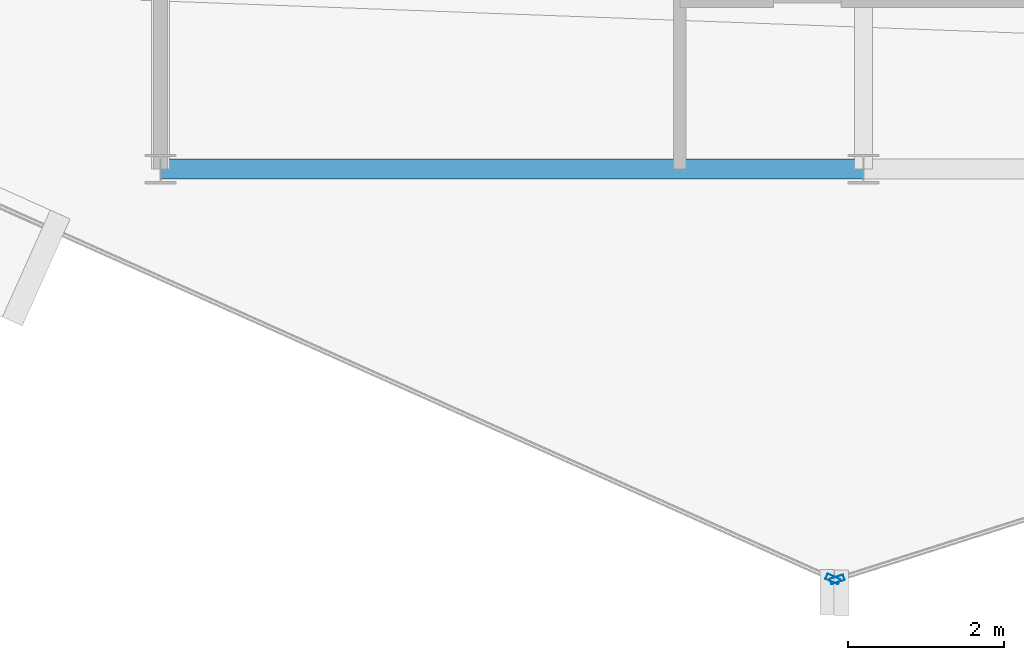
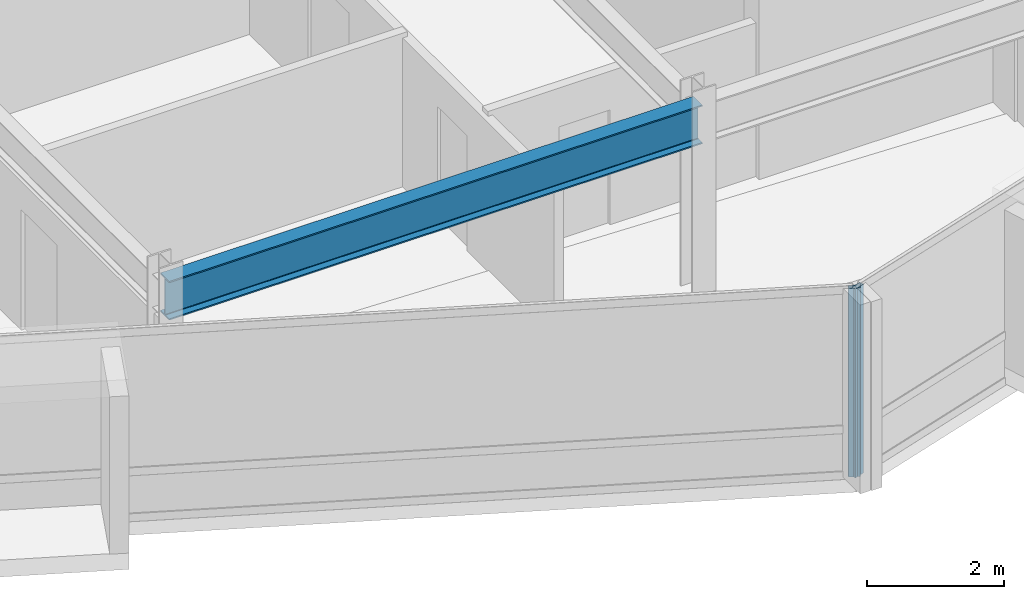
# One storey, part 4 of 19: 2 members, 1 beam, 2 elements without a shape of their own.
"""IFC4 building model written with IfcOpenShell, lengths in metres."""

from ifc_helpers import new_model, si_unit, direction, frame, origin, origin_2d, place, context, subcontext, project, spatial, hollow_rectangle, i_section, extrude, material, layer, layer_set, material_profile, profile_set, type_object, element, aggregate, save


model = new_model("IFC4")

# Units and contexts
model_context = context("Model", 3, precision=1e-05, world=origin(), true_north=direction((0.0, 1.0)))
body_context = subcontext(model_context, "Body", "Model", "MODEL_VIEW")
ifc_project = project(units=[si_unit("LENGTHUNIT", "METRE"), si_unit("AREAUNIT", "SQUARE_METRE"), si_unit("VOLUMEUNIT", "CUBIC_METRE"), si_unit("PLANEANGLEUNIT", "RADIAN"), si_unit("MASSUNIT", "GRAM", prefix="KILO")], contexts=[model_context])

# Site, building, storey
site_placement = place(None, origin())
site = spatial("IfcSite", under=ifc_project, at=site_placement, CompositionType="ELEMENT")
building_placement = place(site_placement, origin())
building = spatial("IfcBuilding", under=site, at=building_placement, Name="Solvaryn Broadcast Tower", CompositionType="ELEMENT")
storey_placement = place(building_placement, frame((0.0, 0.0, 281.5)))
storey = spatial("IfcBuildingStorey", under=building, at=storey_placement, Name="L71", CompositionType="ELEMENT", Elevation=281.5)

# Beam
ifc_material_1 = material(Name="Steel ASTM A992 Grade 50", Category="steel")
ifc_material_profile_1 = material_profile(ifc_material_1, i_section(OverallWidth=0.256103515625, OverallDepth=0.693115234375, WebThickness=0.014404296875, FlangeThickness=0.023681640625, FilletRadius=0.01611328125, at=origin_2d()))
ifc_profile_set_1 = profile_set([ifc_material_profile_1], Name="Steel ASTM A992 Grade 50")
beam_type = type_object("IfcBeamType", Name="BM-SP3-W27X114", PredefinedType="USERDEFINED", material=ifc_profile_set_1)
beam_placement = place(storey_placement, frame((18.0, 9.0, 3.0234375), z_axis=(1.0, 0.0, 0.0), x_axis=(0.0, 1.0, 0.0)))
element("IfcBeam", 1, at=beam_placement, inside=storey, type_object=beam_type, Name="L71 Spandrel Beam X (18-27 @ Y=9)", ObjectType="SPANDREL", PredefinedType="USERDEFINED", context=body_context, shape_type="SweptSolid", body=[
    extrude(i_section(OverallWidth=0.256103515625, OverallDepth=0.693115234375, WebThickness=0.014404296875, FlangeThickness=0.023681640625, FilletRadius=0.01611328125, at=origin_2d()), origin(), (0.0, 0.0, 1.0), 9.0),
])

# Curtain wall, member
ifc_material_2 = material(Name="Aluminium and Terracotta Unitised Curtain Wall", Category="masonry")
ifc_layer = layer(ifc_material_2, 0.199951171875)
ifc_layer_set = layer_set([ifc_layer], Name="CW-SYS2-LOWMID")
curtain_wall_type = type_object("IfcCurtainWallType", Name="CW-SYS2-LOWMID", PredefinedType="NOTDEFINED", material=ifc_layer_set)
curtain_wall_1_placement = place(storey_placement, origin())
curtain_wall_1 = element("IfcCurtainWall", 2, at=curtain_wall_1_placement, inside=storey, type_object=curtain_wall_type, Name="L71 Curtain Wall DR3", PredefinedType="NOTDEFINED")
ifc_material_3 = material(Name="Anodised Aluminium 6063-T6", Category="aluminium")
ifc_material_profile_2 = material_profile(ifc_material_3, hollow_rectangle(XDim=0.074951171875, YDim=0.179931640625, WallThickness=0.00390625, InnerFilletRadius=0.00390625, OuterFilletRadius=0.008056640625, at=origin_2d()))
ifc_profile_set_2 = profile_set([ifc_material_profile_2], Name="Anodised Aluminium 6063-T6")
member_type = type_object("IfcMemberType", Name="CW-MUL-180", PredefinedType="MULLION", material=ifc_profile_set_2)
member_1_placement = place(storey_placement, frame((26.608642578125, 3.750244140625, 0.0), z_axis=(0.0, 0.0, 1.0), x_axis=(0.408466010682, 0.912773530574, 0.0)))
member_1 = element("IfcMember", 3, at=member_1_placement, type_object=member_type, Name="CWS2 mullion 2", PredefinedType="MULLION", context=body_context, shape_type="SweptSolid", body=[
    extrude(hollow_rectangle(XDim=0.074951171875, YDim=0.179931640625, WallThickness=0.00390625, InnerFilletRadius=0.00390625, OuterFilletRadius=0.008056640625, at=origin_2d()), origin(), (0.0, 0.0, 1.0), 3.3701171875),
])
aggregate(curtain_wall_1, [member_1])

curtain_wall_2_placement = place(storey_placement, origin())
curtain_wall_2 = element("IfcCurtainWall", 4, at=curtain_wall_2_placement, inside=storey, type_object=curtain_wall_type, Name="L71 Curtain Wall DR4", PredefinedType="NOTDEFINED")
member_2_placement = place(storey_placement, frame((26.66455078125, 3.7470703125, 0.0), z_axis=(0.0, 0.0, 1.0), x_axis=(-0.30361564569, 0.952794594701, 0.0)))
member_2 = element("IfcMember", 5, at=member_2_placement, type_object=member_type, Name="CWS2 mullion 1", PredefinedType="MULLION", context=body_context, shape_type="SweptSolid", body=[
    extrude(hollow_rectangle(XDim=0.074951171875, YDim=0.179931640625, WallThickness=0.00390625, InnerFilletRadius=0.00390625, OuterFilletRadius=0.008056640625, at=origin_2d()), origin(), (0.0, 0.0, 1.0), 3.3701171875),
])
aggregate(curtain_wall_2, [member_2])

save(model, "model.ifc")
